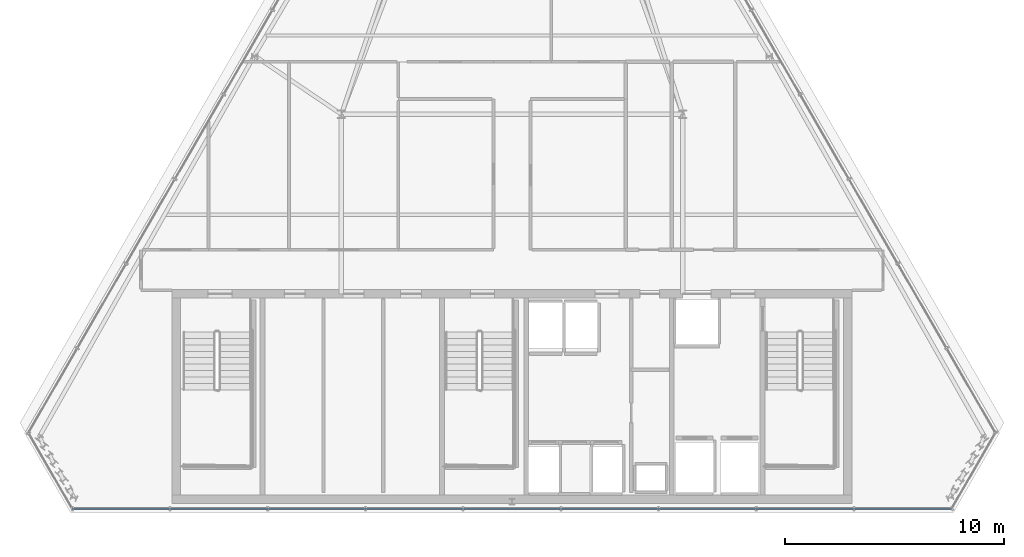
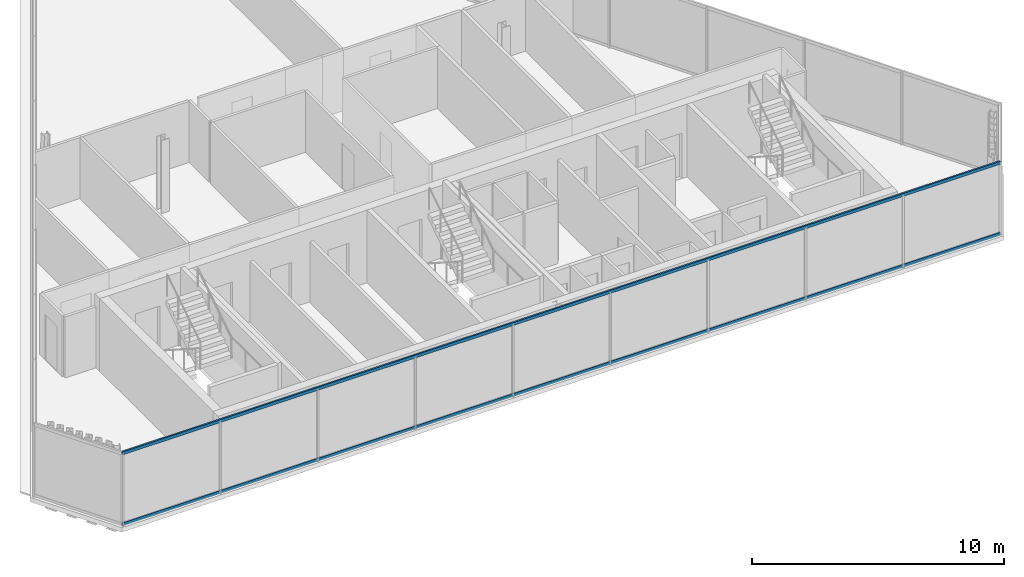
# One storey, part 8 of 32: 2 members, 1 element without a shape of its own.
"""IFC4 building model written with IfcOpenShell, lengths in metres."""

from ifc_helpers import new_model, si_unit, direction, frame, origin, origin_2d, place, context, subcontext, project, spatial, hollow_rectangle, extrude, material, layer, layer_set, material_profile, profile_set, type_object, element, aggregate, save


model = new_model("IFC4")

# Units and contexts
model_context = context("Model", 3, precision=1e-05, world=origin(), true_north=direction((0.0, 1.0)))
body_context = subcontext(model_context, "Body", "Model", "MODEL_VIEW")
ifc_project = project(units=[si_unit("LENGTHUNIT", "METRE"), si_unit("AREAUNIT", "SQUARE_METRE"), si_unit("VOLUMEUNIT", "CUBIC_METRE"), si_unit("PLANEANGLEUNIT", "RADIAN"), si_unit("MASSUNIT", "GRAM", prefix="KILO")], contexts=[model_context])

# Site, building, storey
site_placement = place(None, origin())
site = spatial("IfcSite", under=ifc_project, at=site_placement, CompositionType="ELEMENT")
building_placement = place(site_placement, origin())
building = spatial("IfcBuilding", under=site, at=building_placement, Name="Ndaravel Arena Tower", CompositionType="ELEMENT")
storey_placement = place(building_placement, frame((0.0, 0.0, 294.699951171875)))
storey = spatial("IfcBuildingStorey", under=building, at=storey_placement, Name="L72", CompositionType="ELEMENT", Elevation=294.699951171875)

# Curtain wall, members
ifc_material_1 = material(Name="Aluminium", Category="aluminium")
ifc_layer = layer(ifc_material_1, 0.179931640625)
ifc_layer_set = layer_set([ifc_layer], Name="Aluminium")
curtain_wall_type = type_object("IfcCurtainWallType", Name="CW-SYS-03", PredefinedType="NOTDEFINED", material=ifc_layer_set)
curtain_wall_placement = place(storey_placement, origin())
curtain_wall = element("IfcCurtainWall", 1, at=curtain_wall_placement, inside=storey, type_object=curtain_wall_type, Name="L72 Faceted Crystal Curtain Wall CW-L72-E01", PredefinedType="NOTDEFINED")
ifc_material_2 = material(Name="Aluminium", Category="aluminium")
ifc_material_profile = material_profile(ifc_material_2, hollow_rectangle(XDim=0.074951171875, YDim=0.14990234375, WallThickness=0.00390625, at=origin_2d()), Name="CW TRANSOM 75x150x4")
ifc_profile_set = profile_set([ifc_material_profile], Name="Aluminium")
member_type = type_object("IfcMemberType", Name="MEM-CW-TRN150", PredefinedType="USERDEFINED", material=ifc_profile_set)
member_1_placement = place(storey_placement, frame((21.902587890625, 5.159912109375, 0.0400390625), z_axis=(1.0, 0.0, 0.0), x_axis=(0.0, 1.0, 0.0)))
member_1 = element("IfcMember", 2, at=member_1_placement, type_object=member_type, Name="CW-L72-E01 Transom 01", ObjectType="TRANSOM", PredefinedType="USERDEFINED", context=body_context, shape_type="SweptSolid", body=[
    extrude(hollow_rectangle(XDim=0.074951171875, YDim=0.14990234375, WallThickness=0.00390625, at=origin_2d()), origin(), (0.0, 0.0, 1.0), 40.19482421875),
])
member_2_placement = place(storey_placement, frame((21.902587890625, 5.159912109375, 3.47998046875), z_axis=(1.0, 0.0, 0.0), x_axis=(0.0, 1.0, 0.0)))
member_2 = element("IfcMember", 3, at=member_2_placement, type_object=member_type, Name="CW-L72-E01 Transom 02", ObjectType="TRANSOM", PredefinedType="USERDEFINED", context=body_context, shape_type="SweptSolid", body=[
    extrude(hollow_rectangle(XDim=0.074951171875, YDim=0.14990234375, WallThickness=0.00390625, at=origin_2d()), origin(), (0.0, 0.0, 1.0), 40.19482421875),
])
aggregate(curtain_wall, [member_1, member_2])

save(model, "model.ifc")
